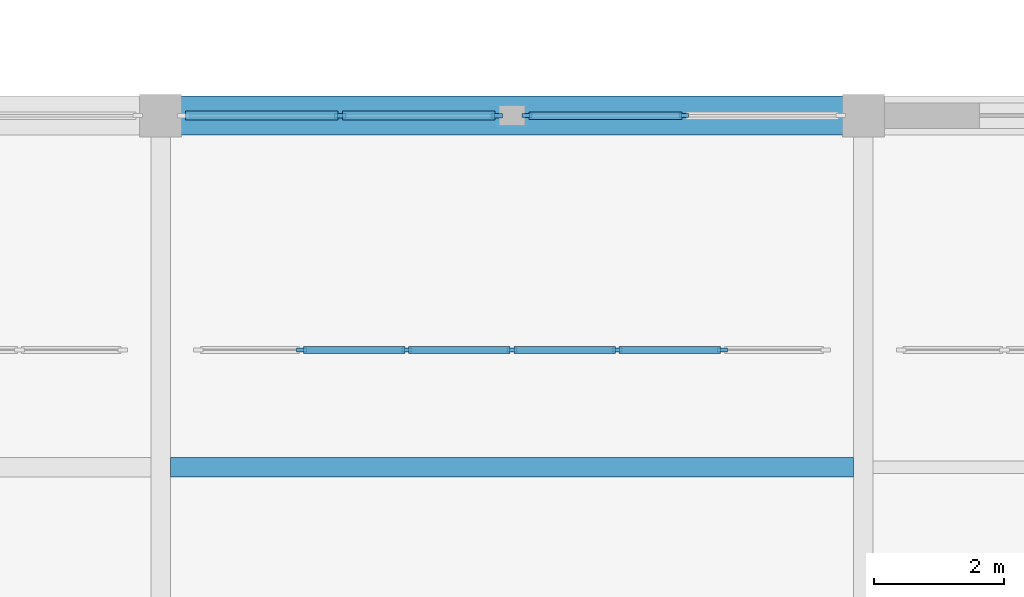
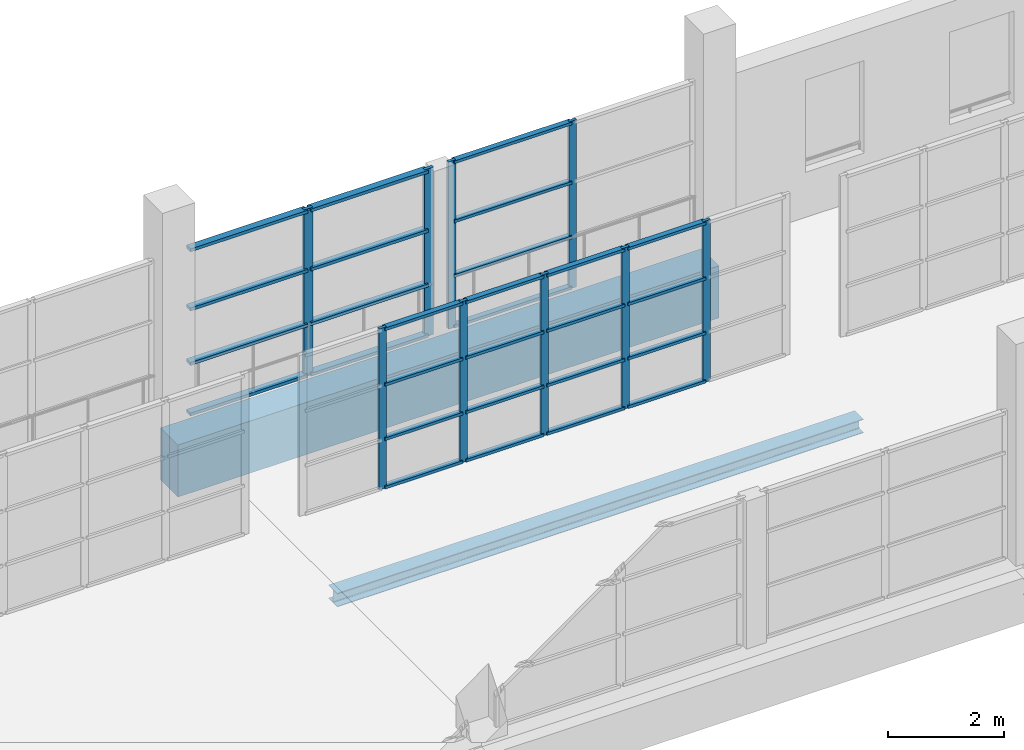
# One storey, part 29 of 142: 37 members, 2 beams, 3 elements without a shape of their own.
"""IFC4 building model written with IfcOpenShell, lengths in metres."""

from ifc_helpers import new_model, si_unit, direction, frame, origin, origin_2d, place, context, subcontext, project, spatial, rectangle, i_section, extrude, material, material_profile, profile_set, type_object, element, aggregate, save


model = new_model("IFC4")

# Units and contexts
model_context = context("Model", 3, precision=1e-05, world=origin(), true_north=direction((0.0, 1.0)))
body_context = subcontext(model_context, "Body", "Model", "MODEL_VIEW")
ifc_project = project(units=[si_unit("LENGTHUNIT", "METRE"), si_unit("AREAUNIT", "SQUARE_METRE"), si_unit("VOLUMEUNIT", "CUBIC_METRE"), si_unit("PLANEANGLEUNIT", "RADIAN"), si_unit("MASSUNIT", "GRAM", prefix="KILO")], contexts=[model_context])

# Site, building, storey
site_placement = place(None, origin())
site = spatial("IfcSite", under=ifc_project, at=site_placement, CompositionType="ELEMENT")
building_placement = place(site_placement, origin())
building = spatial("IfcBuilding", under=site, at=building_placement, Name="Zwinboog Wholesale Market", CompositionType="ELEMENT")
storey_placement = place(building_placement, frame((0.0, 0.0, 5.39990234375)))
storey = spatial("IfcBuildingStorey", under=building, at=storey_placement, Name="L01", CompositionType="ELEMENT", Elevation=5.39990234375)

# Beams
ifc_material_1 = material(Name="Precast concrete C45/55", Category="concrete")
ifc_material_profile_1 = material_profile(ifc_material_1, rectangle(XDim=0.60009765625, YDim=1.10009765625, at=origin_2d()), Name="PC 600x1100")
ifc_profile_set_1 = profile_set([ifc_material_profile_1], Name="Precast concrete C45/55")
beam_type_1 = type_object("IfcBeamType", Name="BT-01", PredefinedType="BEAM", material=ifc_profile_set_1)
beam_1_placement = place(storey_placement, frame((118.800048828125, 54.0, -0.8818359375), z_axis=(1.0, 0.0, 0.0), x_axis=(0.0, 1.0, 0.0)))
element("IfcBeam", 1, at=beam_1_placement, inside=storey, type_object=beam_type_1, Name="BG-01 (BMG-L01-1188-0540-0484)", PredefinedType="BEAM", context=body_context, shape_type="SweptSolid", body=[
    extrude(rectangle(XDim=0.60009765625, YDim=1.10009765625, at=origin_2d()), origin(), (0.0, 0.0, 1.0), 10.800048828125),
])
ifc_material_2 = material(Name="Steel S355", Category="steel")
ifc_material_profile_2 = material_profile(ifc_material_2, i_section(OverallWidth=0.300048828125, OverallDepth=0.2900390625, WebThickness=0.008544921875, FlangeThickness=0.013916015625, FilletRadius=0.027099609375, at=origin_2d()), Name="HEA 300")
ifc_profile_set_2 = profile_set([ifc_material_profile_2], Name="Steel S355")
beam_type_2 = type_object("IfcBeamType", Name="BT-18", PredefinedType="JOIST", material=ifc_profile_set_2)
beam_2_placement = place(storey_placement, frame((118.949951171875, 48.60009765625, -0.476806640625), z_axis=(1.0, 0.0, 0.0), x_axis=(0.0, 1.0, 0.0)))
element("IfcBeam", 2, at=beam_2_placement, inside=storey, type_object=beam_type_2, Name="SJ-01 (BMG-L01-1190-0486-0831)", PredefinedType="JOIST", context=body_context, shape_type="SweptSolid", body=[
    extrude(i_section(OverallWidth=0.300048828125, OverallDepth=0.2900390625, WebThickness=0.008544921875, FlangeThickness=0.013916015625, FilletRadius=0.027099609375, at=origin_2d()), origin(), (0.0, 0.0, 1.0), 10.5),
])

# Curtain wall, members
ifc_material_3 = material(Name="Aluminium thermally broken curtain wall", Category="aluminium")
curtain_wall_type_1 = type_object("IfcCurtainWallType", Name="CWT-HALL-24", PredefinedType="USERDEFINED", material=ifc_material_3)
curtain_wall_1_placement = place(storey_placement, origin())
curtain_wall_1 = element("IfcCurtainWall", 3, at=curtain_wall_1_placement, inside=storey, type_object=curtain_wall_type_1, Name="CW-03 (CW-L01-111)", ObjectType="UNITIZED_CURTAIN_WALL", PredefinedType="USERDEFINED")
ifc_material_4 = material(Name="Aluminium EN AW-6060", Category="aluminium")
ifc_material_profile_3 = material_profile(ifc_material_4, rectangle(XDim=0.06494140625, YDim=0.179931640625, at=origin_2d()), Name="AL 65x180")
ifc_profile_set_3 = profile_set([ifc_material_profile_3], Name="Aluminium EN AW-6060")
member_type_1 = type_object("IfcMemberType", Name="CWM-65x180", PredefinedType="MULLION", material=ifc_profile_set_3)
member_1_placement = place(storey_placement, frame((121.56005859375, 54.0, 0.0), z_axis=(0.0, 0.0, 1.0), x_axis=(0.0, 1.0, 0.0)))
member_1 = element("IfcMember", 4, at=member_1_placement, type_object=member_type_1, Name="CW-03 mullion 2", PredefinedType="MULLION", context=body_context, shape_type="SweptSolid", body=[
    extrude(rectangle(XDim=0.06494140625, YDim=0.179931640625, at=origin_2d()), origin(), (0.0, 0.0, 1.0), 3.530029296875),
])
member_2_placement = place(storey_placement, frame((123.967529296875, 54.0, 0.0), z_axis=(0.0, 0.0, 1.0), x_axis=(0.0, 1.0, 0.0)))
member_2 = element("IfcMember", 5, at=member_2_placement, type_object=member_type_1, Name="CW-03 mullion 3", PredefinedType="MULLION", context=body_context, shape_type="SweptSolid", body=[
    extrude(rectangle(XDim=0.06494140625, YDim=0.179931640625, at=origin_2d()), origin(), (0.0, 0.0, 1.0), 3.530029296875),
])

curtain_wall_type_2 = type_object("IfcCurtainWallType", Name="CWT-GAL-16", PredefinedType="USERDEFINED", material=ifc_material_3)
curtain_wall_2_placement = place(storey_placement, origin())
curtain_wall_2 = element("IfcCurtainWall", 6, at=curtain_wall_2_placement, inside=storey, type_object=curtain_wall_type_2, Name="CW-04 (CW-L01-112)", ObjectType="UNITIZED_CURTAIN_WALL", PredefinedType="USERDEFINED")
ifc_material_profile_4 = material_profile(ifc_material_4, rectangle(XDim=0.06005859375, YDim=0.14990234375, at=origin_2d()), Name="AL 60x150")
ifc_profile_set_4 = profile_set([ifc_material_profile_4], Name="Aluminium EN AW-6060")
member_type_2 = type_object("IfcMemberType", Name="CWM-60x150", PredefinedType="MULLION", material=ifc_profile_set_4)
member_3_placement = place(storey_placement, frame((124.429931640625, 54.0, 0.0), z_axis=(0.0, 0.0, 1.0), x_axis=(0.0, 1.0, 0.0)))
member_3 = element("IfcMember", 7, at=member_3_placement, type_object=member_type_2, Name="CW-04 mullion 1", PredefinedType="MULLION", context=body_context, shape_type="SweptSolid", body=[
    extrude(rectangle(XDim=0.06005859375, YDim=0.14990234375, at=origin_2d()), origin(), (0.0, 0.0, 1.0), 3.530029296875),
])
member_4_placement = place(storey_placement, frame((126.840087890625, 54.0, 0.0), z_axis=(0.0, 0.0, 1.0), x_axis=(0.0, 1.0, 0.0)))
member_4 = element("IfcMember", 8, at=member_4_placement, type_object=member_type_2, Name="CW-04 mullion 2", PredefinedType="MULLION", context=body_context, shape_type="SweptSolid", body=[
    extrude(rectangle(XDim=0.06005859375, YDim=0.14990234375, at=origin_2d()), origin(), (0.0, 0.0, 1.0), 3.530029296875),
])

# Member
ifc_material_profile_5 = material_profile(ifc_material_4, rectangle(XDim=0.139892578125, YDim=0.06494140625, at=origin_2d()), Name="AL 65x140")
ifc_profile_set_5 = profile_set([ifc_material_profile_5], Name="Aluminium EN AW-6060")
member_type_3 = type_object("IfcMemberType", Name="CWT-65x140", PredefinedType="USERDEFINED", material=ifc_profile_set_5)
member_5_placement = place(storey_placement, frame((119.18505859375, 54.0, 0.03271484375), z_axis=(1.0, 0.0, 0.0), x_axis=(0.0, 1.0, 0.0)))
member_5 = element("IfcMember", 9, at=member_5_placement, type_object=member_type_3, Name="CW-03 transom 1.1", ObjectType="TRANSOM", PredefinedType="USERDEFINED", context=body_context, shape_type="SweptSolid", body=[
    extrude(rectangle(XDim=0.139892578125, YDim=0.06494140625, at=origin_2d()), origin(), (0.0, 0.0, 1.0), 2.342529296875),
])

member_6_placement = place(storey_placement, frame((119.18505859375, 54.0, 1.10009765625), z_axis=(1.0, 0.0, 0.0), x_axis=(0.0, 1.0, 0.0)))
member_6 = element("IfcMember", 10, at=member_6_placement, type_object=member_type_3, Name="CW-03 transom 1.2", ObjectType="TRANSOM", PredefinedType="USERDEFINED", context=body_context, shape_type="SweptSolid", body=[
    extrude(rectangle(XDim=0.139892578125, YDim=0.06494140625, at=origin_2d()), origin(), (0.0, 0.0, 1.0), 2.342529296875),
])

member_7_placement = place(storey_placement, frame((119.18505859375, 54.0, 2.25), z_axis=(1.0, 0.0, 0.0), x_axis=(0.0, 1.0, 0.0)))
member_7 = element("IfcMember", 11, at=member_7_placement, type_object=member_type_3, Name="CW-03 transom 1.3", ObjectType="TRANSOM", PredefinedType="USERDEFINED", context=body_context, shape_type="SweptSolid", body=[
    extrude(rectangle(XDim=0.139892578125, YDim=0.06494140625, at=origin_2d()), origin(), (0.0, 0.0, 1.0), 2.342529296875),
])

member_8_placement = place(storey_placement, frame((119.18505859375, 54.0, 3.49755859375), z_axis=(1.0, 0.0, 0.0), x_axis=(0.0, 1.0, 0.0)))
member_8 = element("IfcMember", 12, at=member_8_placement, type_object=member_type_3, Name="CW-03 transom 1.4", ObjectType="TRANSOM", PredefinedType="USERDEFINED", context=body_context, shape_type="SweptSolid", body=[
    extrude(rectangle(XDim=0.139892578125, YDim=0.06494140625, at=origin_2d()), origin(), (0.0, 0.0, 1.0), 2.342529296875),
])

member_9_placement = place(storey_placement, frame((121.592529296875, 54.0, 0.03271484375), z_axis=(1.0, 0.0, 0.0), x_axis=(0.0, 1.0, 0.0)))
member_9 = element("IfcMember", 13, at=member_9_placement, type_object=member_type_3, Name="CW-03 transom 2.1", ObjectType="TRANSOM", PredefinedType="USERDEFINED", context=body_context, shape_type="SweptSolid", body=[
    extrude(rectangle(XDim=0.139892578125, YDim=0.06494140625, at=origin_2d()), origin(), (0.0, 0.0, 1.0), 2.342529296875),
])

member_10_placement = place(storey_placement, frame((121.592529296875, 54.0, 1.10009765625), z_axis=(1.0, 0.0, 0.0), x_axis=(0.0, 1.0, 0.0)))
member_10 = element("IfcMember", 14, at=member_10_placement, type_object=member_type_3, Name="CW-03 transom 2.2", ObjectType="TRANSOM", PredefinedType="USERDEFINED", context=body_context, shape_type="SweptSolid", body=[
    extrude(rectangle(XDim=0.139892578125, YDim=0.06494140625, at=origin_2d()), origin(), (0.0, 0.0, 1.0), 2.342529296875),
])

member_11_placement = place(storey_placement, frame((121.592529296875, 54.0, 2.25), z_axis=(1.0, 0.0, 0.0), x_axis=(0.0, 1.0, 0.0)))
member_11 = element("IfcMember", 15, at=member_11_placement, type_object=member_type_3, Name="CW-03 transom 2.3", ObjectType="TRANSOM", PredefinedType="USERDEFINED", context=body_context, shape_type="SweptSolid", body=[
    extrude(rectangle(XDim=0.139892578125, YDim=0.06494140625, at=origin_2d()), origin(), (0.0, 0.0, 1.0), 2.342529296875),
])

member_12_placement = place(storey_placement, frame((121.592529296875, 54.0, 3.49755859375), z_axis=(1.0, 0.0, 0.0), x_axis=(0.0, 1.0, 0.0)))
member_12 = element("IfcMember", 16, at=member_12_placement, type_object=member_type_3, Name="CW-03 transom 2.4", ObjectType="TRANSOM", PredefinedType="USERDEFINED", context=body_context, shape_type="SweptSolid", body=[
    extrude(rectangle(XDim=0.139892578125, YDim=0.06494140625, at=origin_2d()), origin(), (0.0, 0.0, 1.0), 2.342529296875),
])

aggregate(curtain_wall_1, [member_1, member_2, member_5, member_6, member_7, member_8, member_9, member_10, member_11, member_12])

ifc_material_profile_6 = material_profile(ifc_material_4, rectangle(XDim=0.110107421875, YDim=0.06005859375, at=origin_2d()), Name="AL 60x110")
ifc_profile_set_6 = profile_set([ifc_material_profile_6], Name="Aluminium EN AW-6060")
member_type_4 = type_object("IfcMemberType", Name="CWT-60x110", PredefinedType="USERDEFINED", material=ifc_profile_set_6)
member_13_placement = place(storey_placement, frame((124.4599609375, 54.0, 0.030029296875), z_axis=(1.0, 0.0, 0.0), x_axis=(0.0, 1.0, 0.0)))
member_13 = element("IfcMember", 17, at=member_13_placement, type_object=member_type_4, Name="CW-04 transom 1.1", ObjectType="TRANSOM", PredefinedType="USERDEFINED", context=body_context, shape_type="SweptSolid", body=[
    extrude(rectangle(XDim=0.110107421875, YDim=0.06005859375, at=origin_2d()), origin(), (0.0, 0.0, 1.0), 2.35009765625),
])

member_14_placement = place(storey_placement, frame((124.4599609375, 54.0, 1.10009765625), z_axis=(1.0, 0.0, 0.0), x_axis=(0.0, 1.0, 0.0)))
member_14 = element("IfcMember", 18, at=member_14_placement, type_object=member_type_4, Name="CW-04 transom 1.2", ObjectType="TRANSOM", PredefinedType="USERDEFINED", context=body_context, shape_type="SweptSolid", body=[
    extrude(rectangle(XDim=0.110107421875, YDim=0.06005859375, at=origin_2d()), origin(), (0.0, 0.0, 1.0), 2.35009765625),
])

member_15_placement = place(storey_placement, frame((124.4599609375, 54.0, 2.25), z_axis=(1.0, 0.0, 0.0), x_axis=(0.0, 1.0, 0.0)))
member_15 = element("IfcMember", 19, at=member_15_placement, type_object=member_type_4, Name="CW-04 transom 1.3", ObjectType="TRANSOM", PredefinedType="USERDEFINED", context=body_context, shape_type="SweptSolid", body=[
    extrude(rectangle(XDim=0.110107421875, YDim=0.06005859375, at=origin_2d()), origin(), (0.0, 0.0, 1.0), 2.35009765625),
])

member_16_placement = place(storey_placement, frame((124.4599609375, 54.0, 3.5), z_axis=(1.0, 0.0, 0.0), x_axis=(0.0, 1.0, 0.0)))
member_16 = element("IfcMember", 20, at=member_16_placement, type_object=member_type_4, Name="CW-04 transom 1.4", ObjectType="TRANSOM", PredefinedType="USERDEFINED", context=body_context, shape_type="SweptSolid", body=[
    extrude(rectangle(XDim=0.110107421875, YDim=0.06005859375, at=origin_2d()), origin(), (0.0, 0.0, 1.0), 2.35009765625),
])

aggregate(curtain_wall_2, [member_3, member_4, member_13, member_14, member_15, member_16])

# Curtain wall, members
curtain_wall_type_3 = type_object("IfcCurtainWallType", Name="CWT-INT-STALL", PredefinedType="USERDEFINED", material=ifc_material_3)
curtain_wall_3_placement = place(storey_placement, origin())
curtain_wall_3 = element("IfcCurtainWall", 21, at=curtain_wall_3_placement, inside=storey, type_object=curtain_wall_type_3, Name="CW-07 (CW-STL-230)", ObjectType="STOREFRONT_GLAZING", PredefinedType="USERDEFINED")
ifc_material_profile_7 = material_profile(ifc_material_4, rectangle(XDim=0.06005859375, YDim=0.14990234375, at=origin_2d()), Name="AL 60x150")
ifc_profile_set_7 = profile_set([ifc_material_profile_7], Name="Aluminium EN AW-6060")
member_type_5 = type_object("IfcMemberType", Name="CWM-INT-60x120", PredefinedType="MULLION", material=ifc_profile_set_7)
member_17_placement = place(storey_placement, frame((120.966552734375, 50.39990234375, 0.0), z_axis=(0.0, 0.0, 1.0), x_axis=(0.0, 1.0, 0.0)))
member_17 = element("IfcMember", 22, at=member_17_placement, type_object=member_type_5, Name="CW-07 mullion 2", PredefinedType="MULLION", context=body_context, shape_type="SweptSolid", body=[
    extrude(rectangle(XDim=0.06005859375, YDim=0.14990234375, at=origin_2d()), origin(), (0.0, 0.0, 1.0), 3.400146484375),
])
member_18_placement = place(storey_placement, frame((122.583251953125, 50.39990234375, 0.0), z_axis=(0.0, 0.0, 1.0), x_axis=(0.0, 1.0, 0.0)))
member_18 = element("IfcMember", 23, at=member_18_placement, type_object=member_type_5, Name="CW-07 mullion 3", PredefinedType="MULLION", context=body_context, shape_type="SweptSolid", body=[
    extrude(rectangle(XDim=0.06005859375, YDim=0.14990234375, at=origin_2d()), origin(), (0.0, 0.0, 1.0), 3.400146484375),
])
member_19_placement = place(storey_placement, frame((124.199951171875, 50.39990234375, 0.0), z_axis=(0.0, 0.0, 1.0), x_axis=(0.0, 1.0, 0.0)))
member_19 = element("IfcMember", 24, at=member_19_placement, type_object=member_type_5, Name="CW-07 mullion 4", PredefinedType="MULLION", context=body_context, shape_type="SweptSolid", body=[
    extrude(rectangle(XDim=0.06005859375, YDim=0.14990234375, at=origin_2d()), origin(), (0.0, 0.0, 1.0), 3.400146484375),
])
member_20_placement = place(storey_placement, frame((125.816650390625, 50.39990234375, 0.0), z_axis=(0.0, 0.0, 1.0), x_axis=(0.0, 1.0, 0.0)))
member_20 = element("IfcMember", 25, at=member_20_placement, type_object=member_type_5, Name="CW-07 mullion 5", PredefinedType="MULLION", context=body_context, shape_type="SweptSolid", body=[
    extrude(rectangle(XDim=0.06005859375, YDim=0.14990234375, at=origin_2d()), origin(), (0.0, 0.0, 1.0), 3.400146484375),
])
member_21_placement = place(storey_placement, frame((127.433349609375, 50.39990234375, 0.0), z_axis=(0.0, 0.0, 1.0), x_axis=(0.0, 1.0, 0.0)))
member_21 = element("IfcMember", 26, at=member_21_placement, type_object=member_type_5, Name="CW-07 mullion 6", PredefinedType="MULLION", context=body_context, shape_type="SweptSolid", body=[
    extrude(rectangle(XDim=0.06005859375, YDim=0.14990234375, at=origin_2d()), origin(), (0.0, 0.0, 1.0), 3.400146484375),
])
ifc_material_profile_8 = material_profile(ifc_material_4, rectangle(XDim=0.110107421875, YDim=0.06005859375, at=origin_2d()), Name="AL 60x110")
ifc_profile_set_8 = profile_set([ifc_material_profile_8], Name="Aluminium EN AW-6060")
member_type_6 = type_object("IfcMemberType", Name="CWT-INT-60x100", PredefinedType="USERDEFINED", material=ifc_profile_set_8)
member_22_placement = place(storey_placement, frame((120.99658203125, 50.39990234375, 0.030029296875), z_axis=(1.0, 0.0, 0.0), x_axis=(0.0, 1.0, 0.0)))
member_22 = element("IfcMember", 27, at=member_22_placement, type_object=member_type_6, Name="CW-07 transom 2.1", ObjectType="TRANSOM", PredefinedType="USERDEFINED", context=body_context, shape_type="SweptSolid", body=[
    extrude(rectangle(XDim=0.110107421875, YDim=0.06005859375, at=origin_2d()), origin(), (0.0, 0.0, 1.0), 1.556640625),
])
member_23_placement = place(storey_placement, frame((120.99658203125, 50.39990234375, 1.050048828125), z_axis=(1.0, 0.0, 0.0), x_axis=(0.0, 1.0, 0.0)))
member_23 = element("IfcMember", 28, at=member_23_placement, type_object=member_type_6, Name="CW-07 transom 2.2", ObjectType="TRANSOM", PredefinedType="USERDEFINED", context=body_context, shape_type="SweptSolid", body=[
    extrude(rectangle(XDim=0.110107421875, YDim=0.06005859375, at=origin_2d()), origin(), (0.0, 0.0, 1.0), 1.556640625),
])
member_24_placement = place(storey_placement, frame((120.99658203125, 50.39990234375, 2.2001953125), z_axis=(1.0, 0.0, 0.0), x_axis=(0.0, 1.0, 0.0)))
member_24 = element("IfcMember", 29, at=member_24_placement, type_object=member_type_6, Name="CW-07 transom 2.3", ObjectType="TRANSOM", PredefinedType="USERDEFINED", context=body_context, shape_type="SweptSolid", body=[
    extrude(rectangle(XDim=0.110107421875, YDim=0.06005859375, at=origin_2d()), origin(), (0.0, 0.0, 1.0), 1.556640625),
])
member_25_placement = place(storey_placement, frame((120.99658203125, 50.39990234375, 3.3701171875), z_axis=(1.0, 0.0, 0.0), x_axis=(0.0, 1.0, 0.0)))
member_25 = element("IfcMember", 30, at=member_25_placement, type_object=member_type_6, Name="CW-07 transom 2.4", ObjectType="TRANSOM", PredefinedType="USERDEFINED", context=body_context, shape_type="SweptSolid", body=[
    extrude(rectangle(XDim=0.110107421875, YDim=0.06005859375, at=origin_2d()), origin(), (0.0, 0.0, 1.0), 1.556640625),
])
member_26_placement = place(storey_placement, frame((122.61328125, 50.39990234375, 0.030029296875), z_axis=(1.0, 0.0, 0.0), x_axis=(0.0, 1.0, 0.0)))
member_26 = element("IfcMember", 31, at=member_26_placement, type_object=member_type_6, Name="CW-07 transom 3.1", ObjectType="TRANSOM", PredefinedType="USERDEFINED", context=body_context, shape_type="SweptSolid", body=[
    extrude(rectangle(XDim=0.110107421875, YDim=0.06005859375, at=origin_2d()), origin(), (0.0, 0.0, 1.0), 1.556640625),
])
member_27_placement = place(storey_placement, frame((122.61328125, 50.39990234375, 1.050048828125), z_axis=(1.0, 0.0, 0.0), x_axis=(0.0, 1.0, 0.0)))
member_27 = element("IfcMember", 32, at=member_27_placement, type_object=member_type_6, Name="CW-07 transom 3.2", ObjectType="TRANSOM", PredefinedType="USERDEFINED", context=body_context, shape_type="SweptSolid", body=[
    extrude(rectangle(XDim=0.110107421875, YDim=0.06005859375, at=origin_2d()), origin(), (0.0, 0.0, 1.0), 1.556640625),
])
member_28_placement = place(storey_placement, frame((122.61328125, 50.39990234375, 2.2001953125), z_axis=(1.0, 0.0, 0.0), x_axis=(0.0, 1.0, 0.0)))
member_28 = element("IfcMember", 33, at=member_28_placement, type_object=member_type_6, Name="CW-07 transom 3.3", ObjectType="TRANSOM", PredefinedType="USERDEFINED", context=body_context, shape_type="SweptSolid", body=[
    extrude(rectangle(XDim=0.110107421875, YDim=0.06005859375, at=origin_2d()), origin(), (0.0, 0.0, 1.0), 1.556640625),
])
member_29_placement = place(storey_placement, frame((122.61328125, 50.39990234375, 3.3701171875), z_axis=(1.0, 0.0, 0.0), x_axis=(0.0, 1.0, 0.0)))
member_29 = element("IfcMember", 34, at=member_29_placement, type_object=member_type_6, Name="CW-07 transom 3.4", ObjectType="TRANSOM", PredefinedType="USERDEFINED", context=body_context, shape_type="SweptSolid", body=[
    extrude(rectangle(XDim=0.110107421875, YDim=0.06005859375, at=origin_2d()), origin(), (0.0, 0.0, 1.0), 1.556640625),
])
member_30_placement = place(storey_placement, frame((124.22998046875, 50.39990234375, 0.030029296875), z_axis=(1.0, 0.0, 0.0), x_axis=(0.0, 1.0, 0.0)))
member_30 = element("IfcMember", 35, at=member_30_placement, type_object=member_type_6, Name="CW-07 transom 4.1", ObjectType="TRANSOM", PredefinedType="USERDEFINED", context=body_context, shape_type="SweptSolid", body=[
    extrude(rectangle(XDim=0.110107421875, YDim=0.06005859375, at=origin_2d()), origin(), (0.0, 0.0, 1.0), 1.556640625),
])
member_31_placement = place(storey_placement, frame((124.22998046875, 50.39990234375, 1.050048828125), z_axis=(1.0, 0.0, 0.0), x_axis=(0.0, 1.0, 0.0)))
member_31 = element("IfcMember", 36, at=member_31_placement, type_object=member_type_6, Name="CW-07 transom 4.2", ObjectType="TRANSOM", PredefinedType="USERDEFINED", context=body_context, shape_type="SweptSolid", body=[
    extrude(rectangle(XDim=0.110107421875, YDim=0.06005859375, at=origin_2d()), origin(), (0.0, 0.0, 1.0), 1.556640625),
])
member_32_placement = place(storey_placement, frame((124.22998046875, 50.39990234375, 2.2001953125), z_axis=(1.0, 0.0, 0.0), x_axis=(0.0, 1.0, 0.0)))
member_32 = element("IfcMember", 37, at=member_32_placement, type_object=member_type_6, Name="CW-07 transom 4.3", ObjectType="TRANSOM", PredefinedType="USERDEFINED", context=body_context, shape_type="SweptSolid", body=[
    extrude(rectangle(XDim=0.110107421875, YDim=0.06005859375, at=origin_2d()), origin(), (0.0, 0.0, 1.0), 1.556640625),
])
member_33_placement = place(storey_placement, frame((124.22998046875, 50.39990234375, 3.3701171875), z_axis=(1.0, 0.0, 0.0), x_axis=(0.0, 1.0, 0.0)))
member_33 = element("IfcMember", 38, at=member_33_placement, type_object=member_type_6, Name="CW-07 transom 4.4", ObjectType="TRANSOM", PredefinedType="USERDEFINED", context=body_context, shape_type="SweptSolid", body=[
    extrude(rectangle(XDim=0.110107421875, YDim=0.06005859375, at=origin_2d()), origin(), (0.0, 0.0, 1.0), 1.556640625),
])
member_34_placement = place(storey_placement, frame((125.8466796875, 50.39990234375, 0.030029296875), z_axis=(1.0, 0.0, 0.0), x_axis=(0.0, 1.0, 0.0)))
member_34 = element("IfcMember", 39, at=member_34_placement, type_object=member_type_6, Name="CW-07 transom 5.1", ObjectType="TRANSOM", PredefinedType="USERDEFINED", context=body_context, shape_type="SweptSolid", body=[
    extrude(rectangle(XDim=0.110107421875, YDim=0.06005859375, at=origin_2d()), origin(), (0.0, 0.0, 1.0), 1.556640625),
])
member_35_placement = place(storey_placement, frame((125.8466796875, 50.39990234375, 1.050048828125), z_axis=(1.0, 0.0, 0.0), x_axis=(0.0, 1.0, 0.0)))
member_35 = element("IfcMember", 40, at=member_35_placement, type_object=member_type_6, Name="CW-07 transom 5.2", ObjectType="TRANSOM", PredefinedType="USERDEFINED", context=body_context, shape_type="SweptSolid", body=[
    extrude(rectangle(XDim=0.110107421875, YDim=0.06005859375, at=origin_2d()), origin(), (0.0, 0.0, 1.0), 1.556640625),
])
member_36_placement = place(storey_placement, frame((125.8466796875, 50.39990234375, 2.2001953125), z_axis=(1.0, 0.0, 0.0), x_axis=(0.0, 1.0, 0.0)))
member_36 = element("IfcMember", 41, at=member_36_placement, type_object=member_type_6, Name="CW-07 transom 5.3", ObjectType="TRANSOM", PredefinedType="USERDEFINED", context=body_context, shape_type="SweptSolid", body=[
    extrude(rectangle(XDim=0.110107421875, YDim=0.06005859375, at=origin_2d()), origin(), (0.0, 0.0, 1.0), 1.556640625),
])
member_37_placement = place(storey_placement, frame((125.8466796875, 50.39990234375, 3.3701171875), z_axis=(1.0, 0.0, 0.0), x_axis=(0.0, 1.0, 0.0)))
member_37 = element("IfcMember", 42, at=member_37_placement, type_object=member_type_6, Name="CW-07 transom 5.4", ObjectType="TRANSOM", PredefinedType="USERDEFINED", context=body_context, shape_type="SweptSolid", body=[
    extrude(rectangle(XDim=0.110107421875, YDim=0.06005859375, at=origin_2d()), origin(), (0.0, 0.0, 1.0), 1.556640625),
])
aggregate(curtain_wall_3, [member_17, member_18, member_19, member_20, member_21, member_22, member_23, member_24, member_25, member_26, member_27, member_28, member_29, member_30, member_31, member_32, member_33, member_34, member_35, member_36, member_37])

save(model, "model.ifc")
